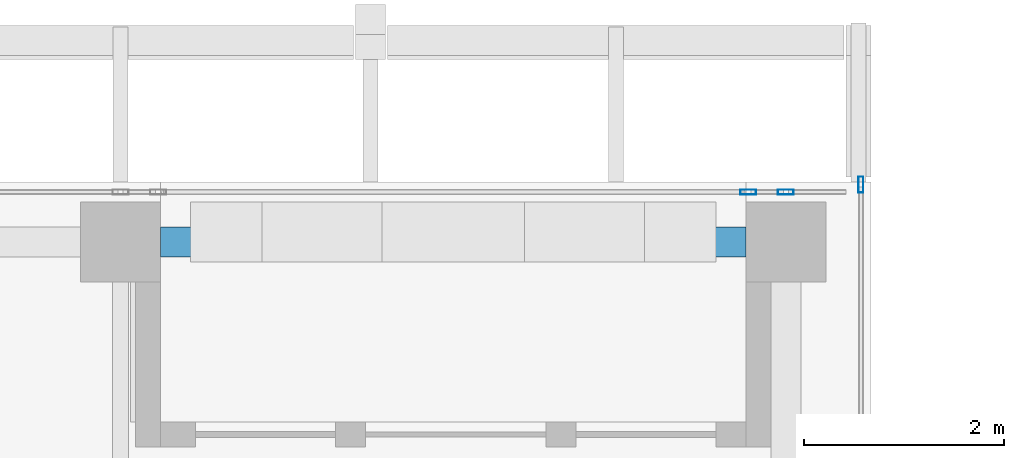
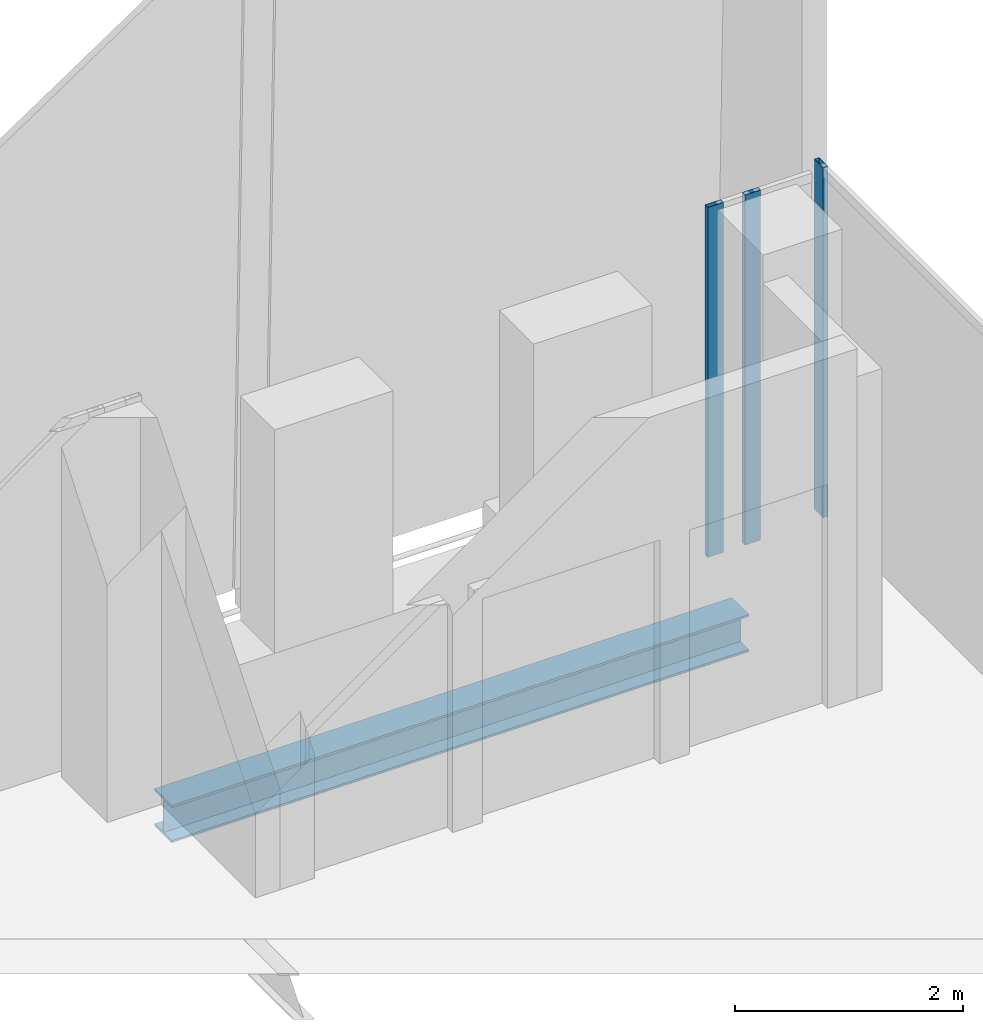
# One storey, part 19 of 32: 3 members, 1 beam, 2 elements without a shape of their own.
"""IFC4 building model written with IfcOpenShell, lengths in metres."""

from ifc_helpers import new_model, si_unit, direction, frame, origin, origin_2d, place, context, subcontext, project, spatial, hollow_rectangle, i_section, extrude, source, transform, mapped, material, material_profile, profile_set, type_object, element, aggregate, save


model = new_model("IFC4")

# Units and contexts
model_context = context("Model", 3, precision=1e-05, world=origin(), true_north=direction((0.0, 1.0)))
body_context = subcontext(model_context, "Body", "Model", "MODEL_VIEW")
ifc_project = project(units=[si_unit("LENGTHUNIT", "METRE"), si_unit("AREAUNIT", "SQUARE_METRE"), si_unit("VOLUMEUNIT", "CUBIC_METRE"), si_unit("PLANEANGLEUNIT", "RADIAN"), si_unit("MASSUNIT", "GRAM", prefix="KILO")], contexts=[model_context])

# Site, building, storey
site_placement = place(None, origin())
site = spatial("IfcSite", under=ifc_project, at=site_placement, CompositionType="ELEMENT")
building_placement = place(site_placement, origin())
building = spatial("IfcBuilding", under=site, at=building_placement, Name="Khomas Fold Tower", CompositionType="ELEMENT")
storey_placement = place(building_placement, frame((0.0, 0.0, 318.199951171875)))
storey = spatial("IfcBuildingStorey", under=building, at=storey_placement, Name="L72", CompositionType="ELEMENT", Elevation=318.199951171875)

# Beam
ifc_material_1 = material(Name="Steel S355", Category="steel")
ifc_material_profile_1 = material_profile(ifc_material_1, i_section(OverallWidth=0.300048828125, OverallDepth=0.39990234375, WebThickness=0.013427734375, FlangeThickness=0.02392578125, at=origin_2d()), Name="HE 400 B")
ifc_profile_set_1 = profile_set([ifc_material_profile_1], Name="Steel S355")
beam_type = type_object("IfcBeamType", Name="HE 400 B spandrel SB5", PredefinedType="SPANDREL", material=ifc_profile_set_1)
shared_shape_1 = source(origin(), body_context, "Body", "SweptSolid", [
    extrude(i_section(OverallWidth=0.300048828125, OverallDepth=0.39990234375, WebThickness=0.013427734375, FlangeThickness=0.02392578125, at=origin_2d()), origin(), (0.0, 0.0, 1.0), 5.85009765625),
])
beam_placement = place(storey_placement, frame((34.89990234375, 47.39990234375, -0.449951171875), z_axis=(1.0, 0.0, 0.0), x_axis=(0.0, 1.0, 0.0)))
element("IfcBeam", 1, at=beam_placement, inside=storey, type_object=beam_type, Name="SB5", PredefinedType="SPANDREL", context=body_context, shape_type="MappedRepresentation", body=[
    mapped(shared_shape_1, transform((0.0, 0.0, 0.0))),
])

# Curtain wall, member
ifc_material_2 = material(Name="Aluminium framed double glazing", Category="aluminium")
curtain_wall_type = type_object("IfcCurtainWallType", Name="SK-Unitised clear-glass wall, upper floors CW3", PredefinedType="NOTDEFINED", material=ifc_material_2)
curtain_wall_1_placement = place(storey_placement, origin())
curtain_wall_1 = element("IfcCurtainWall", 2, at=curtain_wall_1_placement, inside=storey, type_object=curtain_wall_type, Name="CW3 corner return L72 05", PredefinedType="NOTDEFINED")
ifc_material_3 = material(Name="Aluminium", Category="aluminium")
ifc_material_profile_2 = material_profile(ifc_material_3, hollow_rectangle(XDim=0.050048828125, YDim=0.159912109375, WallThickness=0.00390625, at=origin_2d()), Name="SK-Unitised clear-glass wall, upper floors mullion CW3-M")
ifc_profile_set_2 = profile_set([ifc_material_profile_2], Name="Aluminium")
member_type = type_object("IfcMemberType", Name="SK-Unitised clear-glass wall, upper floors mullion CW3-M", PredefinedType="MULLION", material=ifc_profile_set_2)
shared_shape_2 = source(origin(), body_context, "Body", "SweptSolid", [
    extrude(hollow_rectangle(XDim=0.050048828125, YDim=0.159912109375, WallThickness=0.00390625, at=origin_2d()), origin(), (0.0, 0.0, 1.0), 3.75),
])
member_1_placement = place(storey_placement, frame((41.89990234375, 47.97509765625, 0.0), z_axis=(0.0, 0.0, 1.0), x_axis=(-1.0, 0.0, 0.0)))
member_1 = element("IfcMember", 3, at=member_1_placement, type_object=member_type, Name="CW3 mullion 2", PredefinedType="MULLION", context=body_context, shape_type="MappedRepresentation", body=[
    mapped(shared_shape_2, transform((0.0, 0.0, 0.0))),
])
aggregate(curtain_wall_1, [member_1])

# Curtain wall, members
curtain_wall_2_placement = place(storey_placement, origin())
curtain_wall_2 = element("IfcCurtainWall", 4, at=curtain_wall_2_placement, inside=storey, type_object=curtain_wall_type, Name="CW3 run L72 06-0", PredefinedType="NOTDEFINED")
member_2_placement = place(storey_placement, frame((41.14990234375, 47.89990234375, 0.0), z_axis=(0.0, 0.0, 1.0), x_axis=(0.0, -1.0, 0.0)))
member_2 = element("IfcMember", 5, at=member_2_placement, type_object=member_type, Name="CW3 mullion 2", PredefinedType="MULLION", context=body_context, shape_type="MappedRepresentation", body=[
    mapped(shared_shape_2, transform((0.0, 0.0, 0.0))),
])
member_3_placement = place(storey_placement, frame((40.77490234375, 47.89990234375, 0.0), z_axis=(0.0, 0.0, 1.0), x_axis=(0.0, -1.0, 0.0)))
member_3 = element("IfcMember", 6, at=member_3_placement, type_object=member_type, Name="CW3 mullion 3", PredefinedType="MULLION", context=body_context, shape_type="MappedRepresentation", body=[
    mapped(shared_shape_2, transform((0.0, 0.0, 0.0))),
])
aggregate(curtain_wall_2, [member_2, member_3])

save(model, "model.ifc")
